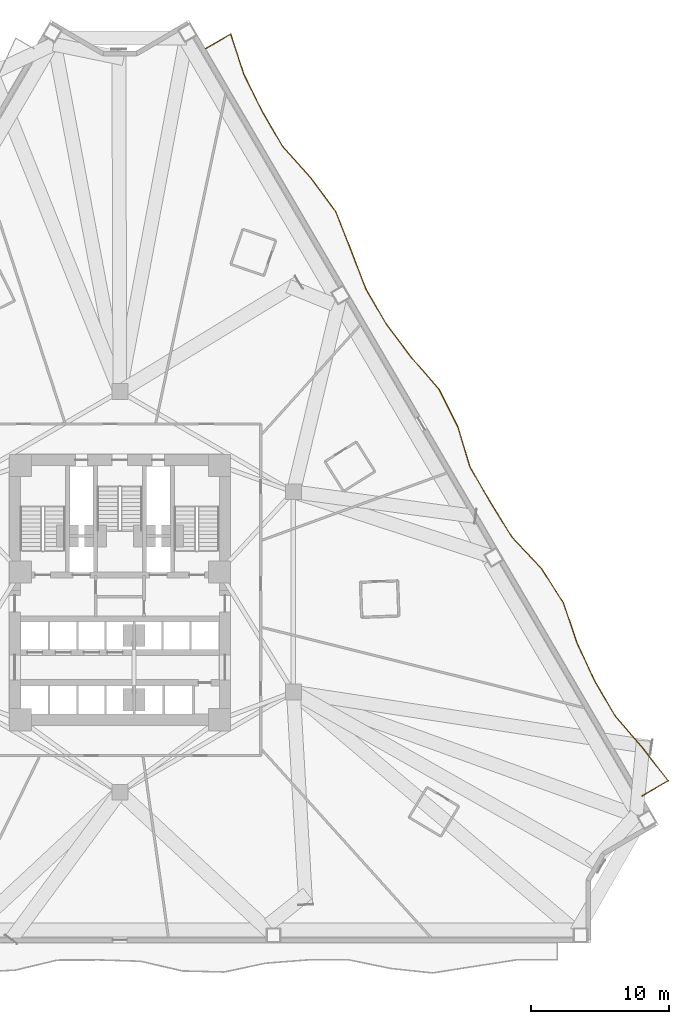
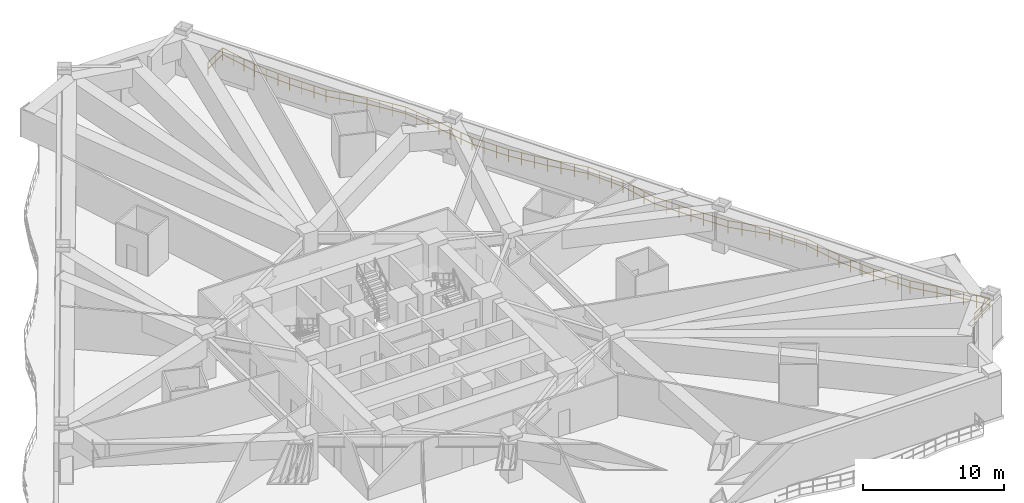
# One storey, part 16 of 16: 1 railing.
"""IFC4 building model written with IfcOpenShell, lengths in metres."""

from ifc_helpers import new_model, si_unit, direction, frame, origin, origin_2d, place, context, subcontext, project, spatial, rectangle, extrude, material, type_object, element, save


model = new_model("IFC4")

# Units and contexts
model_context = context("Model", 3, precision=1e-05, world=origin(), true_north=direction((0.0, 1.0)))
body_context = subcontext(model_context, "Body", "Model", "MODEL_VIEW")
ifc_project = project(units=[si_unit("LENGTHUNIT", "METRE"), si_unit("AREAUNIT", "SQUARE_METRE"), si_unit("VOLUMEUNIT", "CUBIC_METRE"), si_unit("PLANEANGLEUNIT", "RADIAN"), si_unit("MASSUNIT", "GRAM", prefix="KILO")], contexts=[model_context])

# Site, building, storey
site_placement = place(None, origin())
site = spatial("IfcSite", under=ifc_project, at=site_placement, CompositionType="ELEMENT")
building_placement = place(site_placement, origin())
building = spatial("IfcBuilding", under=site, at=building_placement, Name="Apsidion Concourse Tower", CompositionType="ELEMENT")
storey_placement = place(building_placement, frame((0.0, 0.0, 58.39990234375)))
storey = spatial("IfcBuildingStorey", under=building, at=storey_placement, Name="L12", CompositionType="ELEMENT", Elevation=58.39990234375)

# Railing
ifc_material = material(Name="Brushed stainless steel 316", Category="steel")
railing_type = type_object("IfcRailingType", Name="RL-BAL-1120", PredefinedType="BALUSTRADE", material=ifc_material)
railing_placement = place(storey_placement, frame((6.204833984375, 39.32275390625, 0.0)))
element("IfcRailing", 1, at=railing_placement, inside=storey, type_object=railing_type, Name="L12 Face 3 Rippling Balcony Balustrade", PredefinedType="BALUSTRADE", context=body_context, shape_type="SweptSolid", body=[
    extrude(rectangle(XDim=0.048095703125, YDim=0.048095703125, at=origin_2d()), frame((0.0, 0.0, 1.09619140625), z_axis=(0.863568954933, 0.50423076074, 0.0), x_axis=(-0.50423076074, 0.863568954933, 0.0)), (0.0, 0.0, 1.0), 2.109619140625),
    extrude(rectangle(XDim=0.048095703125, YDim=0.048095703125, at=origin_2d()), frame((0.0, 0.0, 0.5361328125), z_axis=(0.863568954933, 0.50423076074, 0.0), x_axis=(-0.50423076074, 0.863568954933, 0.0)), (0.0, 0.0, 1.0), 2.109619140625),
    extrude(rectangle(XDim=0.048095703125, YDim=0.048095703125, at=origin_2d()), frame((1.82177734375, 1.063720703125, 1.09619140625), z_axis=(0.309885421691, -0.950773908678, 0.0), x_axis=(0.950773908678, 0.309885421691, 0.0)), (0.0, 0.0, 1.0), 3.052001953125),
    extrude(rectangle(XDim=0.048095703125, YDim=0.048095703125, at=origin_2d()), frame((1.82177734375, 1.063720703125, 0.5361328125), z_axis=(0.309885421691, -0.950773908678, 0.0), x_axis=(0.950773908678, 0.309885421691, 0.0)), (0.0, 0.0, 1.0), 3.052001953125),
    extrude(rectangle(XDim=0.048095703125, YDim=0.048095703125, at=origin_2d()), frame((2.767578125, -1.838134765625, 1.09619140625), z_axis=(0.441326121354, -0.897346786148, 0.0), x_axis=(0.897346786148, 0.441326121354, 0.0)), (0.0, 0.0, 1.0), 2.990478515625),
    extrude(rectangle(XDim=0.048095703125, YDim=0.048095703125, at=origin_2d()), frame((2.767578125, -1.838134765625, 0.5361328125), z_axis=(0.441326121354, -0.897346786148, 0.0), x_axis=(0.897346786148, 0.441326121354, 0.0)), (0.0, 0.0, 1.0), 2.990478515625),
    extrude(rectangle(XDim=0.048095703125, YDim=0.048095703125, at=origin_2d()), frame((4.08740234375, -4.521728515625, 1.09619140625), z_axis=(0.504252641195, -0.863556178745, 0.0), x_axis=(0.863556178745, 0.504252641195, 0.0)), (0.0, 0.0, 1.0), 2.98291015625),
    extrude(rectangle(XDim=0.048095703125, YDim=0.048095703125, at=origin_2d()), frame((4.08740234375, -4.521728515625, 0.5361328125), z_axis=(0.504252641195, -0.863556178745, 0.0), x_axis=(0.863556178745, 0.504252641195, 0.0)), (0.0, 0.0, 1.0), 2.98291015625),
    extrude(rectangle(XDim=0.048095703125, YDim=0.048095703125, at=origin_2d()), frame((5.591552734375, -7.09765625, 1.09619140625), z_axis=(0.66830014886, -0.743891733408, 0.0), x_axis=(0.743891733408, 0.66830014886, 0.0)), (0.0, 0.0, 1.0), 3.045654296875),
    extrude(rectangle(XDim=0.048095703125, YDim=0.048095703125, at=origin_2d()), frame((5.591552734375, -7.09765625, 0.5361328125), z_axis=(0.66830014886, -0.743891733408, 0.0), x_axis=(0.743891733408, 0.66830014886, 0.0)), (0.0, 0.0, 1.0), 3.045654296875),
    extrude(rectangle(XDim=0.048095703125, YDim=0.048095703125, at=origin_2d()), frame((7.626953125, -9.36328125, 1.09619140625), z_axis=(0.596349461862, -0.802724933795, 0.0), x_axis=(0.802724933795, 0.596349461862, 0.0)), (0.0, 0.0, 1.0), 3.001220703125),
    extrude(rectangle(XDim=0.048095703125, YDim=0.048095703125, at=origin_2d()), frame((7.626953125, -9.36328125, 0.5361328125), z_axis=(0.596349461862, -0.802724933795, 0.0), x_axis=(0.802724933795, 0.596349461862, 0.0)), (0.0, 0.0, 1.0), 3.001220703125),
    extrude(rectangle(XDim=0.048095703125, YDim=0.048095703125, at=origin_2d()), frame((9.416748046875, -11.7724609375, 1.09619140625), z_axis=(0.366951024432, -0.930240262334, 0.0), x_axis=(0.930240262334, 0.366951024432, 0.0)), (0.0, 0.0, 1.0), 3.017822265625),
    extrude(rectangle(XDim=0.048095703125, YDim=0.048095703125, at=origin_2d()), frame((9.416748046875, -11.7724609375, 0.5361328125), z_axis=(0.366951024432, -0.930240262334, 0.0), x_axis=(0.930240262334, 0.366951024432, 0.0)), (0.0, 0.0, 1.0), 3.017822265625),
    extrude(rectangle(XDim=0.048095703125, YDim=0.048095703125, at=origin_2d()), frame((10.524169921875, -14.579833984375, 1.09619140625), z_axis=(0.358459427962, -0.933545306081, 0.0), x_axis=(0.933545306081, 0.358459427962, 0.0)), (0.0, 0.0, 1.0), 3.022705078125),
    extrude(rectangle(XDim=0.048095703125, YDim=0.048095703125, at=origin_2d()), frame((10.524169921875, -14.579833984375, 0.5361328125), z_axis=(0.358459427962, -0.933545306081, 0.0), x_axis=(0.933545306081, 0.358459427962, 0.0)), (0.0, 0.0, 1.0), 3.022705078125),
    extrude(rectangle(XDim=0.048095703125, YDim=0.048095703125, at=origin_2d()), frame((11.607666015625, -17.401611328125, 1.09619140625), z_axis=(0.504191602526, -0.863591817899, 0.0), x_axis=(0.863591817899, 0.504191602526, 0.0)), (0.0, 0.0, 1.0), 2.98291015625),
    extrude(rectangle(XDim=0.048095703125, YDim=0.048095703125, at=origin_2d()), frame((11.607666015625, -17.401611328125, 0.5361328125), z_axis=(0.504191602526, -0.863591817899, 0.0), x_axis=(0.863591817899, 0.504191602526, 0.0)), (0.0, 0.0, 1.0), 2.98291015625),
    extrude(rectangle(XDim=0.048095703125, YDim=0.048095703125, at=origin_2d()), frame((13.111572265625, -19.9775390625, 1.09619140625), z_axis=(0.60206584429, -0.798446440996, 0.0), x_axis=(0.798446440996, 0.60206584429, 0.0)), (0.0, 0.0, 1.0), 3.003662109375),
    extrude(rectangle(XDim=0.048095703125, YDim=0.048095703125, at=origin_2d()), frame((13.111572265625, -19.9775390625, 0.5361328125), z_axis=(0.60206584429, -0.798446440996, 0.0), x_axis=(0.798446440996, 0.60206584429, 0.0)), (0.0, 0.0, 1.0), 3.003662109375),
    extrude(rectangle(XDim=0.048095703125, YDim=0.048095703125, at=origin_2d()), frame((14.919921875, -22.375732421875, 1.09619140625), z_axis=(0.656093103734, -0.75467995815, 0.0), x_axis=(0.75467995815, 0.656093103734, 0.0)), (0.0, 0.0, 1.0), 3.0361328125),
    extrude(rectangle(XDim=0.048095703125, YDim=0.048095703125, at=origin_2d()), frame((14.919921875, -22.375732421875, 0.5361328125), z_axis=(0.656093103734, -0.75467995815, 0.0), x_axis=(0.75467995815, 0.656093103734, 0.0)), (0.0, 0.0, 1.0), 3.0361328125),
    extrude(rectangle(XDim=0.048095703125, YDim=0.048095703125, at=origin_2d()), frame((16.911865234375, -24.6669921875, 1.09619140625), z_axis=(0.448422047936, -0.893821943636, 0.0), x_axis=(0.893821943636, 0.448422047936, 0.0)), (0.0, 0.0, 1.0), 2.989013671875),
    extrude(rectangle(XDim=0.048095703125, YDim=0.048095703125, at=origin_2d()), frame((16.911865234375, -24.6669921875, 0.5361328125), z_axis=(0.448422047936, -0.893821943636, 0.0), x_axis=(0.893821943636, 0.448422047936, 0.0)), (0.0, 0.0, 1.0), 2.989013671875),
    extrude(rectangle(XDim=0.048095703125, YDim=0.048095703125, at=origin_2d()), frame((18.252197265625, -27.338623046875, 1.09619140625), z_axis=(0.289859353704, -0.957069253017, 0.0), x_axis=(0.957069253017, 0.289859353704, 0.0)), (0.0, 0.0, 1.0), 3.066650390625),
    extrude(rectangle(XDim=0.048095703125, YDim=0.048095703125, at=origin_2d()), frame((18.252197265625, -27.338623046875, 0.5361328125), z_axis=(0.289859353704, -0.957069253017, 0.0), x_axis=(0.957069253017, 0.289859353704, 0.0)), (0.0, 0.0, 1.0), 3.066650390625),
    extrude(rectangle(XDim=0.048095703125, YDim=0.048095703125, at=origin_2d()), frame((19.14111328125, -30.273681640625, 1.09619140625), z_axis=(0.49974843307, -0.86617059731, 0.0), x_axis=(0.86617059731, 0.49974843307, 0.0)), (0.0, 0.0, 1.0), 2.98291015625),
    extrude(rectangle(XDim=0.048095703125, YDim=0.048095703125, at=origin_2d()), frame((19.14111328125, -30.273681640625, 0.5361328125), z_axis=(0.49974843307, -0.86617059731, 0.0), x_axis=(0.86617059731, 0.49974843307, 0.0)), (0.0, 0.0, 1.0), 2.98291015625),
    extrude(rectangle(XDim=0.048095703125, YDim=0.048095703125, at=origin_2d()), frame((20.6318359375, -32.857421875, 1.09619140625), z_axis=(0.527061407052, -0.849827201963, 0.0), x_axis=(0.849827201963, 0.527061407052, 0.0)), (0.0, 0.0, 1.0), 2.98388671875),
    extrude(rectangle(XDim=0.048095703125, YDim=0.048095703125, at=origin_2d()), frame((20.6318359375, -32.857421875, 0.5361328125), z_axis=(0.527061407052, -0.849827201963, 0.0), x_axis=(0.849827201963, 0.527061407052, 0.0)), (0.0, 0.0, 1.0), 2.98388671875),
    extrude(rectangle(XDim=0.048095703125, YDim=0.048095703125, at=origin_2d()), frame((22.20458984375, -35.393310546875, 1.09619140625), z_axis=(0.687762331711, -0.725935930423, 0.0), x_axis=(0.725935930423, 0.687762331711, 0.0)), (0.0, 0.0, 1.0), 3.0634765625),
    extrude(rectangle(XDim=0.048095703125, YDim=0.048095703125, at=origin_2d()), frame((22.20458984375, -35.393310546875, 0.5361328125), z_axis=(0.687762331711, -0.725935930423, 0.0), x_axis=(0.725935930423, 0.687762331711, 0.0)), (0.0, 0.0, 1.0), 3.0634765625),
    extrude(rectangle(XDim=0.048095703125, YDim=0.048095703125, at=origin_2d()), frame((24.3115234375, -37.6171875, 1.09619140625), z_axis=(0.536833156035, -0.843688427431, 0.0), x_axis=(0.843688427431, 0.536833156035, 0.0)), (0.0, 0.0, 1.0), 2.985107421875),
    extrude(rectangle(XDim=0.048095703125, YDim=0.048095703125, at=origin_2d()), frame((24.3115234375, -37.6171875, 0.5361328125), z_axis=(0.536833156035, -0.843688427431, 0.0), x_axis=(0.843688427431, 0.536833156035, 0.0)), (0.0, 0.0, 1.0), 2.985107421875),
    extrude(rectangle(XDim=0.048095703125, YDim=0.048095703125, at=origin_2d()), frame((25.9140625, -40.1357421875, 1.09619140625), z_axis=(0.321179478758, -0.947018343235, 0.0), x_axis=(0.947018343235, 0.321179478758, 0.0)), (0.0, 0.0, 1.0), 3.04443359375),
    extrude(rectangle(XDim=0.048095703125, YDim=0.048095703125, at=origin_2d()), frame((25.9140625, -40.1357421875, 0.5361328125), z_axis=(0.321179478758, -0.947018343235, 0.0), x_axis=(0.947018343235, 0.321179478758, 0.0)), (0.0, 0.0, 1.0), 3.04443359375),
    extrude(rectangle(XDim=0.048095703125, YDim=0.048095703125, at=origin_2d()), frame((26.891845703125, -43.018798828125, 1.09619140625), z_axis=(0.420519907562, -0.90728331151, 0.0), x_axis=(0.90728331151, 0.420519907562, 0.0)), (0.0, 0.0, 1.0), 2.996337890625),
    extrude(rectangle(XDim=0.048095703125, YDim=0.048095703125, at=origin_2d()), frame((26.891845703125, -43.018798828125, 0.5361328125), z_axis=(0.420519907562, -0.90728331151, 0.0), x_axis=(0.90728331151, 0.420519907562, 0.0)), (0.0, 0.0, 1.0), 2.996337890625),
    extrude(rectangle(XDim=0.048095703125, YDim=0.048095703125, at=origin_2d()), frame((28.15185546875, -45.7373046875, 1.09619140625), z_axis=(0.504191602526, -0.863591817899, 0.0), x_axis=(0.863591817899, 0.504191602526, 0.0)), (0.0, 0.0, 1.0), 2.98291015625),
    extrude(rectangle(XDim=0.048095703125, YDim=0.048095703125, at=origin_2d()), frame((28.15185546875, -45.7373046875, 0.5361328125), z_axis=(0.504191602526, -0.863591817899, 0.0), x_axis=(0.863591817899, 0.504191602526, 0.0)), (0.0, 0.0, 1.0), 2.98291015625),
    extrude(rectangle(XDim=0.048095703125, YDim=0.048095703125, at=origin_2d()), frame((29.65576171875, -48.313232421875, 1.09619140625), z_axis=(0.653121079889, -0.757253494548, 0.0), x_axis=(0.757253494548, 0.653121079889, 0.0)), (0.0, 0.0, 1.0), 3.03369140625),
    extrude(rectangle(XDim=0.048095703125, YDim=0.048095703125, at=origin_2d()), frame((29.65576171875, -48.313232421875, 0.5361328125), z_axis=(0.653121079889, -0.757253494548, 0.0), x_axis=(0.757253494548, 0.653121079889, 0.0)), (0.0, 0.0, 1.0), 3.03369140625),
    extrude(rectangle(XDim=0.048095703125, YDim=0.048095703125, at=origin_2d()), frame((31.63720703125, -50.610595703125, 1.09619140625), z_axis=(0.613811425191, -0.789452680219, 0.0), x_axis=(0.789452680219, 0.613811425191, 0.0)), (0.0, 0.0, 1.0), 3.00927734375),
    extrude(rectangle(XDim=0.048095703125, YDim=0.048095703125, at=origin_2d()), frame((31.63720703125, -50.610595703125, 0.5361328125), z_axis=(0.613811425191, -0.789452680219, 0.0), x_axis=(0.789452680219, 0.613811425191, 0.0)), (0.0, 0.0, 1.0), 3.00927734375),
    extrude(rectangle(XDim=0.048095703125, YDim=0.048095703125, at=origin_2d()), frame((33.484375, -52.986328125, 1.09619140625), z_axis=(-0.863609801823, -0.504160797955, 0.0), x_axis=(0.504160797955, -0.863609801823, 0.0)), (0.0, 0.0, 1.0), 2.199951171875),
    extrude(rectangle(XDim=0.048095703125, YDim=0.048095703125, at=origin_2d()), frame((33.484375, -52.986328125, 0.5361328125), z_axis=(-0.863609801823, -0.504160797955, 0.0), x_axis=(0.504160797955, -0.863609801823, 0.0)), (0.0, 0.0, 1.0), 2.199951171875),
    extrude(rectangle(XDim=0.0419921875, YDim=0.0419921875, at=origin_2d()), origin(), (0.0, 0.0, 1.0), 1.072021484375),
    extrude(rectangle(XDim=0.0419921875, YDim=0.0419921875, at=origin_2d()), frame((0.910888671875, 0.53173828125, 0.0)), (0.0, 0.0, 1.0), 1.072021484375),
    extrude(rectangle(XDim=0.0419921875, YDim=0.0419921875, at=origin_2d()), frame((1.82177734375, 1.063720703125, 0.0)), (0.0, 0.0, 1.0), 1.072021484375),
    extrude(rectangle(XDim=0.0419921875, YDim=0.0419921875, at=origin_2d()), frame((2.136962890625, 0.096435546875, 0.0)), (0.0, 0.0, 1.0), 1.072021484375),
    extrude(rectangle(XDim=0.0419921875, YDim=0.0419921875, at=origin_2d()), frame((2.452392578125, -0.870849609375, 0.0)), (0.0, 0.0, 1.0), 1.072021484375),
    extrude(rectangle(XDim=0.0419921875, YDim=0.0419921875, at=origin_2d()), frame((2.767578125, -1.838134765625, 0.0)), (0.0, 0.0, 1.0), 1.072021484375),
    extrude(rectangle(XDim=0.0419921875, YDim=0.0419921875, at=origin_2d()), frame((3.20751953125, -2.732666015625, 0.0)), (0.0, 0.0, 1.0), 1.072021484375),
    extrude(rectangle(XDim=0.0419921875, YDim=0.0419921875, at=origin_2d()), frame((3.6474609375, -3.627197265625, 0.0)), (0.0, 0.0, 1.0), 1.072021484375),
    extrude(rectangle(XDim=0.0419921875, YDim=0.0419921875, at=origin_2d()), frame((4.08740234375, -4.521728515625, 0.0)), (0.0, 0.0, 1.0), 1.072021484375),
    extrude(rectangle(XDim=0.0419921875, YDim=0.0419921875, at=origin_2d()), frame((4.5888671875, -5.38037109375, 0.0)), (0.0, 0.0, 1.0), 1.072021484375),
    extrude(rectangle(XDim=0.0419921875, YDim=0.0419921875, at=origin_2d()), frame((5.090087890625, -6.239013671875, 0.0)), (0.0, 0.0, 1.0), 1.072021484375),
    extrude(rectangle(XDim=0.0419921875, YDim=0.0419921875, at=origin_2d()), frame((5.591552734375, -7.09765625, 0.0)), (0.0, 0.0, 1.0), 1.072021484375),
    extrude(rectangle(XDim=0.0419921875, YDim=0.0419921875, at=origin_2d()), frame((6.27001953125, -7.852783203125, 0.0)), (0.0, 0.0, 1.0), 1.072021484375),
    extrude(rectangle(XDim=0.0419921875, YDim=0.0419921875, at=origin_2d()), frame((6.948486328125, -8.608154296875, 0.0)), (0.0, 0.0, 1.0), 1.072021484375),
    extrude(rectangle(XDim=0.0419921875, YDim=0.0419921875, at=origin_2d()), frame((7.626953125, -9.36328125, 0.0)), (0.0, 0.0, 1.0), 1.072021484375),
    extrude(rectangle(XDim=0.0419921875, YDim=0.0419921875, at=origin_2d()), frame((8.2236328125, -10.166259765625, 0.0)), (0.0, 0.0, 1.0), 1.072021484375),
    extrude(rectangle(XDim=0.0419921875, YDim=0.0419921875, at=origin_2d()), frame((8.820068359375, -10.969482421875, 0.0)), (0.0, 0.0, 1.0), 1.072021484375),
    extrude(rectangle(XDim=0.0419921875, YDim=0.0419921875, at=origin_2d()), frame((9.416748046875, -11.7724609375, 0.0)), (0.0, 0.0, 1.0), 1.072021484375),
    extrude(rectangle(XDim=0.0419921875, YDim=0.0419921875, at=origin_2d()), frame((9.785888671875, -12.708251953125, 0.0)), (0.0, 0.0, 1.0), 1.072021484375),
    extrude(rectangle(XDim=0.0419921875, YDim=0.0419921875, at=origin_2d()), frame((10.155029296875, -13.64404296875, 0.0)), (0.0, 0.0, 1.0), 1.072021484375),
    extrude(rectangle(XDim=0.0419921875, YDim=0.0419921875, at=origin_2d()), frame((10.524169921875, -14.579833984375, 0.0)), (0.0, 0.0, 1.0), 1.072021484375),
    extrude(rectangle(XDim=0.0419921875, YDim=0.0419921875, at=origin_2d()), frame((10.88525390625, -15.5205078125, 0.0)), (0.0, 0.0, 1.0), 1.072021484375),
    extrude(rectangle(XDim=0.0419921875, YDim=0.0419921875, at=origin_2d()), frame((11.24658203125, -16.4609375, 0.0)), (0.0, 0.0, 1.0), 1.072021484375),
    extrude(rectangle(XDim=0.0419921875, YDim=0.0419921875, at=origin_2d()), frame((11.607666015625, -17.401611328125, 0.0)), (0.0, 0.0, 1.0), 1.072021484375),
    extrude(rectangle(XDim=0.0419921875, YDim=0.0419921875, at=origin_2d()), frame((12.10888671875, -18.26025390625, 0.0)), (0.0, 0.0, 1.0), 1.072021484375),
    extrude(rectangle(XDim=0.0419921875, YDim=0.0419921875, at=origin_2d()), frame((12.6103515625, -19.118896484375, 0.0)), (0.0, 0.0, 1.0), 1.072021484375),
    extrude(rectangle(XDim=0.0419921875, YDim=0.0419921875, at=origin_2d()), frame((13.111572265625, -19.9775390625, 0.0)), (0.0, 0.0, 1.0), 1.072021484375),
    extrude(rectangle(XDim=0.0419921875, YDim=0.0419921875, at=origin_2d()), frame((13.71435546875, -20.77685546875, 0.0)), (0.0, 0.0, 1.0), 1.072021484375),
    extrude(rectangle(XDim=0.0419921875, YDim=0.0419921875, at=origin_2d()), frame((14.317138671875, -21.576416015625, 0.0)), (0.0, 0.0, 1.0), 1.072021484375),
    extrude(rectangle(XDim=0.0419921875, YDim=0.0419921875, at=origin_2d()), frame((14.919921875, -22.375732421875, 0.0)), (0.0, 0.0, 1.0), 1.072021484375),
    extrude(rectangle(XDim=0.0419921875, YDim=0.0419921875, at=origin_2d()), frame((15.583984375, -23.139404296875, 0.0)), (0.0, 0.0, 1.0), 1.072021484375),
    extrude(rectangle(XDim=0.0419921875, YDim=0.0419921875, at=origin_2d()), frame((16.247802734375, -23.9033203125, 0.0)), (0.0, 0.0, 1.0), 1.072021484375),
    extrude(rectangle(XDim=0.0419921875, YDim=0.0419921875, at=origin_2d()), frame((16.911865234375, -24.6669921875, 0.0)), (0.0, 0.0, 1.0), 1.072021484375),
    extrude(rectangle(XDim=0.0419921875, YDim=0.0419921875, at=origin_2d()), frame((17.358642578125, -25.5576171875, 0.0)), (0.0, 0.0, 1.0), 1.072021484375),
    extrude(rectangle(XDim=0.0419921875, YDim=0.0419921875, at=origin_2d()), frame((17.805419921875, -26.447998046875, 0.0)), (0.0, 0.0, 1.0), 1.072021484375),
    extrude(rectangle(XDim=0.0419921875, YDim=0.0419921875, at=origin_2d()), frame((18.252197265625, -27.338623046875, 0.0)), (0.0, 0.0, 1.0), 1.072021484375),
    extrude(rectangle(XDim=0.0419921875, YDim=0.0419921875, at=origin_2d()), frame((18.548583984375, -28.31689453125, 0.0)), (0.0, 0.0, 1.0), 1.072021484375),
    extrude(rectangle(XDim=0.0419921875, YDim=0.0419921875, at=origin_2d()), frame((18.8447265625, -29.29541015625, 0.0)), (0.0, 0.0, 1.0), 1.072021484375),
    extrude(rectangle(XDim=0.0419921875, YDim=0.0419921875, at=origin_2d()), frame((19.14111328125, -30.273681640625, 0.0)), (0.0, 0.0, 1.0), 1.072021484375),
    extrude(rectangle(XDim=0.0419921875, YDim=0.0419921875, at=origin_2d()), frame((19.637939453125, -31.135009765625, 0.0)), (0.0, 0.0, 1.0), 1.072021484375),
    extrude(rectangle(XDim=0.0419921875, YDim=0.0419921875, at=origin_2d()), frame((20.135009765625, -31.99609375, 0.0)), (0.0, 0.0, 1.0), 1.072021484375),
    extrude(rectangle(XDim=0.0419921875, YDim=0.0419921875, at=origin_2d()), frame((20.6318359375, -32.857421875, 0.0)), (0.0, 0.0, 1.0), 1.072021484375),
    extrude(rectangle(XDim=0.0419921875, YDim=0.0419921875, at=origin_2d()), frame((21.156005859375, -33.70263671875, 0.0)), (0.0, 0.0, 1.0), 1.072021484375),
    extrude(rectangle(XDim=0.0419921875, YDim=0.0419921875, at=origin_2d()), frame((21.680419921875, -34.548095703125, 0.0)), (0.0, 0.0, 1.0), 1.072021484375),
    extrude(rectangle(XDim=0.0419921875, YDim=0.0419921875, at=origin_2d()), frame((22.20458984375, -35.393310546875, 0.0)), (0.0, 0.0, 1.0), 1.072021484375),
    extrude(rectangle(XDim=0.0419921875, YDim=0.0419921875, at=origin_2d()), frame((22.906982421875, -36.134521484375, 0.0)), (0.0, 0.0, 1.0), 1.072021484375),
    extrude(rectangle(XDim=0.0419921875, YDim=0.0419921875, at=origin_2d()), frame((23.609130859375, -36.8759765625, 0.0)), (0.0, 0.0, 1.0), 1.072021484375),
    extrude(rectangle(XDim=0.0419921875, YDim=0.0419921875, at=origin_2d()), frame((24.3115234375, -37.6171875, 0.0)), (0.0, 0.0, 1.0), 1.072021484375),
    extrude(rectangle(XDim=0.0419921875, YDim=0.0419921875, at=origin_2d()), frame((24.845703125, -38.456787109375, 0.0)), (0.0, 0.0, 1.0), 1.072021484375),
    extrude(rectangle(XDim=0.0419921875, YDim=0.0419921875, at=origin_2d()), frame((25.3798828125, -39.296142578125, 0.0)), (0.0, 0.0, 1.0), 1.072021484375),
    extrude(rectangle(XDim=0.0419921875, YDim=0.0419921875, at=origin_2d()), frame((25.9140625, -40.1357421875, 0.0)), (0.0, 0.0, 1.0), 1.072021484375),
    extrude(rectangle(XDim=0.0419921875, YDim=0.0419921875, at=origin_2d()), frame((26.239990234375, -41.0966796875, 0.0)), (0.0, 0.0, 1.0), 1.072021484375),
    extrude(rectangle(XDim=0.0419921875, YDim=0.0419921875, at=origin_2d()), frame((26.56591796875, -42.057861328125, 0.0)), (0.0, 0.0, 1.0), 1.072021484375),
    extrude(rectangle(XDim=0.0419921875, YDim=0.0419921875, at=origin_2d()), frame((26.891845703125, -43.018798828125, 0.0)), (0.0, 0.0, 1.0), 1.072021484375),
    extrude(rectangle(XDim=0.0419921875, YDim=0.0419921875, at=origin_2d()), frame((27.311767578125, -43.925048828125, 0.0)), (0.0, 0.0, 1.0), 1.072021484375),
    extrude(rectangle(XDim=0.0419921875, YDim=0.0419921875, at=origin_2d()), frame((27.73193359375, -44.8310546875, 0.0)), (0.0, 0.0, 1.0), 1.072021484375),
    extrude(rectangle(XDim=0.0419921875, YDim=0.0419921875, at=origin_2d()), frame((28.15185546875, -45.7373046875, 0.0)), (0.0, 0.0, 1.0), 1.072021484375),
    extrude(rectangle(XDim=0.0419921875, YDim=0.0419921875, at=origin_2d()), frame((28.653076171875, -46.595947265625, 0.0)), (0.0, 0.0, 1.0), 1.072021484375),
    extrude(rectangle(XDim=0.0419921875, YDim=0.0419921875, at=origin_2d()), frame((29.154541015625, -47.45458984375, 0.0)), (0.0, 0.0, 1.0), 1.072021484375),
    extrude(rectangle(XDim=0.0419921875, YDim=0.0419921875, at=origin_2d()), frame((29.65576171875, -48.313232421875, 0.0)), (0.0, 0.0, 1.0), 1.072021484375),
    extrude(rectangle(XDim=0.0419921875, YDim=0.0419921875, at=origin_2d()), frame((30.316162109375, -49.0791015625, 0.0)), (0.0, 0.0, 1.0), 1.072021484375),
    extrude(rectangle(XDim=0.0419921875, YDim=0.0419921875, at=origin_2d()), frame((30.976806640625, -49.8447265625, 0.0)), (0.0, 0.0, 1.0), 1.072021484375),
    extrude(rectangle(XDim=0.0419921875, YDim=0.0419921875, at=origin_2d()), frame((31.63720703125, -50.610595703125, 0.0)), (0.0, 0.0, 1.0), 1.072021484375),
    extrude(rectangle(XDim=0.0419921875, YDim=0.0419921875, at=origin_2d()), frame((32.2529296875, -51.402587890625, 0.0)), (0.0, 0.0, 1.0), 1.072021484375),
    extrude(rectangle(XDim=0.0419921875, YDim=0.0419921875, at=origin_2d()), frame((32.86865234375, -52.1943359375, 0.0)), (0.0, 0.0, 1.0), 1.072021484375),
    extrude(rectangle(XDim=0.0419921875, YDim=0.0419921875, at=origin_2d()), frame((33.484375, -52.986328125, 0.0)), (0.0, 0.0, 1.0), 1.072021484375),
    extrude(rectangle(XDim=0.0419921875, YDim=0.0419921875, at=origin_2d()), frame((32.534423828125, -53.541015625, 0.0)), (0.0, 0.0, 1.0), 1.072021484375),
    extrude(rectangle(XDim=0.0419921875, YDim=0.0419921875, at=origin_2d()), frame((31.58447265625, -54.095458984375, 0.0)), (0.0, 0.0, 1.0), 1.072021484375),
])

save(model, "model.ifc")
